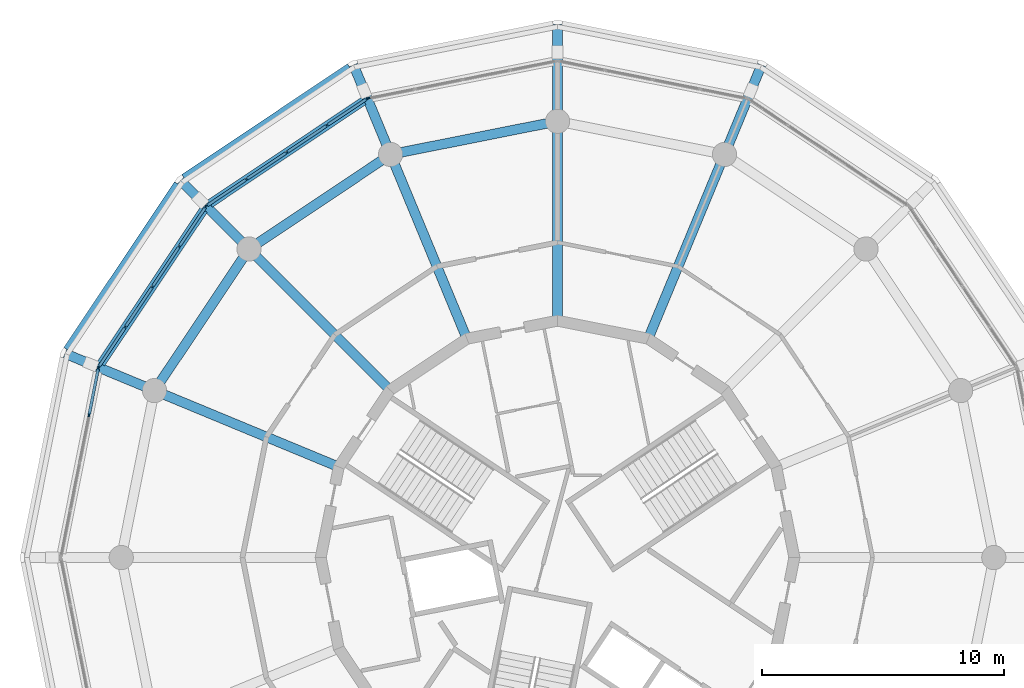
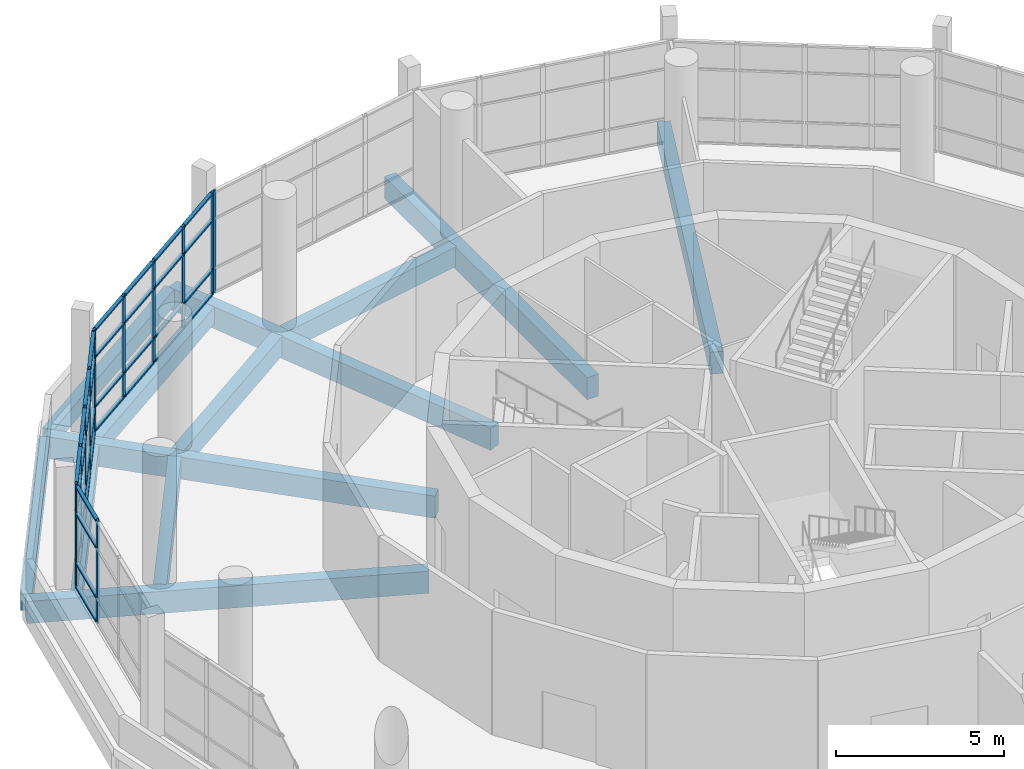
# One storey, part 7 of 40: 49 members, 12 beams, 4 elements without a shape of their own.
"""IFC4 building model written with IfcOpenShell, lengths in metres."""

from ifc_helpers import new_model, si_unit, direction, frame, origin, origin_2d, place, context, subcontext, project, spatial, rectangle, extrude, material, material_profile, profile_set, type_object, element, aggregate, save


model = new_model("IFC4")

# Units and contexts
model_context = context("Model", 3, precision=1e-05, world=origin(), true_north=direction((0.0, 1.0)))
body_context = subcontext(model_context, "Body", "Model", "MODEL_VIEW")
ifc_project = project(units=[si_unit("LENGTHUNIT", "METRE"), si_unit("AREAUNIT", "SQUARE_METRE"), si_unit("VOLUMEUNIT", "CUBIC_METRE"), si_unit("PLANEANGLEUNIT", "RADIAN"), si_unit("MASSUNIT", "GRAM", prefix="KILO")], contexts=[model_context])

# Site, building, storey
site_placement = place(None, origin())
site = spatial("IfcSite", under=ifc_project, at=site_placement, CompositionType="ELEMENT")
building_placement = place(site_placement, origin())
building = spatial("IfcBuilding", under=site, at=building_placement, Name="Ceibo Conservatory and Research Tower", CompositionType="ELEMENT")
storey_placement = place(building_placement, frame((0.0, 0.0, 6.0)))
storey = spatial("IfcBuildingStorey", under=building, at=storey_placement, Name="L01", CompositionType="ELEMENT", Elevation=6.0)

# Curtain wall, member
ifc_material_1 = material(Name="Aluminium and glass", Category="aluminium")
curtain_wall_type = type_object("IfcCurtainWallType", Name="Curtain wall CW1", PredefinedType="NOTDEFINED", material=ifc_material_1)
curtain_wall_1_placement = place(storey_placement, origin())
curtain_wall_1 = element("IfcCurtainWall", 1, at=curtain_wall_1_placement, inside=storey, type_object=curtain_wall_type, Name="CW-01.05", PredefinedType="NOTDEFINED")
ifc_material_2 = material(Name="Aluminium", Category="aluminium")
ifc_material_profile_1 = material_profile(ifc_material_2, rectangle(XDim=0.06005859375, YDim=0.159912109375, at=origin_2d()), Name="Aluminium 60 x 160")
ifc_profile_set_1 = profile_set([ifc_material_profile_1], Name="Aluminium")
member_type_1 = type_object("IfcMemberType", Name="Aluminium mullion 60 x 160", PredefinedType="MULLION", material=ifc_profile_set_1)
member_1_placement = place(storey_placement, frame((40.184326171875, 138.9453125, 0.0), z_axis=(0.0, 0.0, 1.0), x_axis=(0.195090380799, -0.980785268711, 0.0)))
member_1 = element("IfcMember", 2, at=member_1_placement, type_object=member_type_1, Name="CW-01.05 mullion 5", PredefinedType="MULLION", context=body_context, shape_type="SweptSolid", body=[
    extrude(rectangle(XDim=0.06005859375, YDim=0.159912109375, at=origin_2d()), origin(), (0.0, 0.0, 1.0), 3.699951171875),
])
aggregate(curtain_wall_1, [member_1])

# Curtain wall, members
curtain_wall_2_placement = place(storey_placement, origin())
curtain_wall_2 = element("IfcCurtainWall", 3, at=curtain_wall_2_placement, inside=storey, type_object=curtain_wall_type, Name="CW-01.06", PredefinedType="NOTDEFINED")
member_2_placement = place(storey_placement, frame((40.130126953125, 138.9228515625, 0.0), z_axis=(0.0, 0.0, 1.0), x_axis=(0.555570178092, -0.831469649004, 0.0)))
member_2 = element("IfcMember", 4, at=member_2_placement, type_object=member_type_1, Name="CW-01.06 mullion 1", PredefinedType="MULLION", context=body_context, shape_type="SweptSolid", body=[
    extrude(rectangle(XDim=0.06005859375, YDim=0.159912109375, at=origin_2d()), origin(), (0.0, 0.0, 1.0), 3.699951171875),
])
member_3_placement = place(storey_placement, frame((38.492431640625, 137.82861328125, 0.0), z_axis=(0.0, 0.0, 1.0), x_axis=(0.555570178092, -0.831469649004, 0.0)))
member_3 = element("IfcMember", 5, at=member_3_placement, type_object=member_type_1, Name="CW-01.06 mullion 2", PredefinedType="MULLION", context=body_context, shape_type="SweptSolid", body=[
    extrude(rectangle(XDim=0.06005859375, YDim=0.159912109375, at=origin_2d()), origin(), (0.0, 0.0, 1.0), 3.699951171875),
])
member_4_placement = place(storey_placement, frame((36.82958984375, 136.717529296875, 0.0), z_axis=(0.0, 0.0, 1.0), x_axis=(0.555570178092, -0.831469649004, 0.0)))
member_4 = element("IfcMember", 6, at=member_4_placement, type_object=member_type_1, Name="CW-01.06 mullion 3", PredefinedType="MULLION", context=body_context, shape_type="SweptSolid", body=[
    extrude(rectangle(XDim=0.06005859375, YDim=0.159912109375, at=origin_2d()), origin(), (0.0, 0.0, 1.0), 3.699951171875),
])
member_5_placement = place(storey_placement, frame((35.1669921875, 135.606689453125, 0.0), z_axis=(0.0, 0.0, 1.0), x_axis=(0.555570178092, -0.831469649004, 0.0)))
member_5 = element("IfcMember", 7, at=member_5_placement, type_object=member_type_1, Name="CW-01.06 mullion 4", PredefinedType="MULLION", context=body_context, shape_type="SweptSolid", body=[
    extrude(rectangle(XDim=0.06005859375, YDim=0.159912109375, at=origin_2d()), origin(), (0.0, 0.0, 1.0), 3.699951171875),
])
member_6_placement = place(storey_placement, frame((33.529296875, 134.512451171875, 0.0), z_axis=(0.0, 0.0, 1.0), x_axis=(0.555570178092, -0.831469649004, 0.0)))
member_6 = element("IfcMember", 8, at=member_6_placement, type_object=member_type_1, Name="CW-01.06 mullion 5", PredefinedType="MULLION", context=body_context, shape_type="SweptSolid", body=[
    extrude(rectangle(XDim=0.06005859375, YDim=0.159912109375, at=origin_2d()), origin(), (0.0, 0.0, 1.0), 3.699951171875),
])

curtain_wall_3_placement = place(storey_placement, origin())
curtain_wall_3 = element("IfcCurtainWall", 9, at=curtain_wall_3_placement, inside=storey, type_object=curtain_wall_type, Name="CW-01.07", PredefinedType="NOTDEFINED")
member_7_placement = place(storey_placement, frame((33.487548828125, 134.470703125, 0.0), z_axis=(0.0, 0.0, 1.0), x_axis=(0.831469649004, -0.555570178092, 0.0)))
member_7 = element("IfcMember", 10, at=member_7_placement, type_object=member_type_1, Name="CW-01.07 mullion 1", PredefinedType="MULLION", context=body_context, shape_type="SweptSolid", body=[
    extrude(rectangle(XDim=0.06005859375, YDim=0.159912109375, at=origin_2d()), origin(), (0.0, 0.0, 1.0), 3.699951171875),
])
member_8_placement = place(storey_placement, frame((32.393310546875, 132.8330078125, 0.0), z_axis=(0.0, 0.0, 1.0), x_axis=(0.831469649004, -0.555570178092, 0.0)))
member_8 = element("IfcMember", 11, at=member_8_placement, type_object=member_type_1, Name="CW-01.07 mullion 2", PredefinedType="MULLION", context=body_context, shape_type="SweptSolid", body=[
    extrude(rectangle(XDim=0.06005859375, YDim=0.159912109375, at=origin_2d()), origin(), (0.0, 0.0, 1.0), 3.699951171875),
])
member_9_placement = place(storey_placement, frame((31.282470703125, 131.17041015625, 0.0), z_axis=(0.0, 0.0, 1.0), x_axis=(0.831469649004, -0.555570178092, 0.0)))
member_9 = element("IfcMember", 12, at=member_9_placement, type_object=member_type_1, Name="CW-01.07 mullion 3", PredefinedType="MULLION", context=body_context, shape_type="SweptSolid", body=[
    extrude(rectangle(XDim=0.06005859375, YDim=0.159912109375, at=origin_2d()), origin(), (0.0, 0.0, 1.0), 3.699951171875),
])
member_10_placement = place(storey_placement, frame((30.17138671875, 129.507568359375, 0.0), z_axis=(0.0, 0.0, 1.0), x_axis=(0.831469649004, -0.555570178092, 0.0)))
member_10 = element("IfcMember", 13, at=member_10_placement, type_object=member_type_1, Name="CW-01.07 mullion 4", PredefinedType="MULLION", context=body_context, shape_type="SweptSolid", body=[
    extrude(rectangle(XDim=0.06005859375, YDim=0.159912109375, at=origin_2d()), origin(), (0.0, 0.0, 1.0), 3.699951171875),
])
member_11_placement = place(storey_placement, frame((29.0771484375, 127.869873046875, 0.0), z_axis=(0.0, 0.0, 1.0), x_axis=(0.831469649004, -0.555570178092, 0.0)))
member_11 = element("IfcMember", 14, at=member_11_placement, type_object=member_type_1, Name="CW-01.07 mullion 5", PredefinedType="MULLION", context=body_context, shape_type="SweptSolid", body=[
    extrude(rectangle(XDim=0.06005859375, YDim=0.159912109375, at=origin_2d()), origin(), (0.0, 0.0, 1.0), 3.699951171875),
])

curtain_wall_4_placement = place(storey_placement, origin())
curtain_wall_4 = element("IfcCurtainWall", 15, at=curtain_wall_4_placement, inside=storey, type_object=curtain_wall_type, Name="CW-01.08", PredefinedType="NOTDEFINED")
member_12_placement = place(storey_placement, frame((29.0546875, 127.815673828125, 0.0), z_axis=(0.0, 0.0, 1.0), x_axis=(0.980785268711, -0.195090380799, 0.0)))
member_12 = element("IfcMember", 16, at=member_12_placement, type_object=member_type_1, Name="CW-01.08 mullion 1", PredefinedType="MULLION", context=body_context, shape_type="SweptSolid", body=[
    extrude(rectangle(XDim=0.06005859375, YDim=0.159912109375, at=origin_2d()), origin(), (0.0, 0.0, 1.0), 3.699951171875),
])
member_13_placement = place(storey_placement, frame((28.67041015625, 125.8837890625, 0.0), z_axis=(0.0, 0.0, 1.0), x_axis=(0.980785268711, -0.195090380799, 0.0)))
member_13 = element("IfcMember", 17, at=member_13_placement, type_object=member_type_1, Name="CW-01.08 mullion 2", PredefinedType="MULLION", context=body_context, shape_type="SweptSolid", body=[
    extrude(rectangle(XDim=0.06005859375, YDim=0.159912109375, at=origin_2d()), origin(), (0.0, 0.0, 1.0), 3.699951171875),
])

# Member
ifc_material_profile_2 = material_profile(ifc_material_2, rectangle(XDim=0.1201171875, YDim=0.06005859375, at=origin_2d()), Name="Aluminium 60 x 120")
ifc_profile_set_2 = profile_set([ifc_material_profile_2], Name="Aluminium")
member_type_2 = type_object("IfcMemberType", Name="Aluminium transom 60 x 120", PredefinedType="USERDEFINED", material=ifc_profile_set_2)
member_14_placement = place(storey_placement, frame((40.10498046875, 138.90625, 0.030029296875), z_axis=(-0.831420334371, -0.555643975577, 0.0), x_axis=(0.555643975577, -0.831420334371, 0.0)))
member_14 = element("IfcMember", 18, at=member_14_placement, type_object=member_type_2, Name="CW-01.06 transom 1.1", ObjectType="TRANSOM", PredefinedType="USERDEFINED", context=body_context, shape_type="SweptSolid", body=[
    extrude(rectangle(XDim=0.1201171875, YDim=0.06005859375, at=origin_2d()), origin(), (0.0, 0.0, 1.0), 1.90966796875),
])

member_15_placement = place(storey_placement, frame((40.10498046875, 138.90625, 0.89990234375), z_axis=(-0.831420334371, -0.555643975577, 0.0), x_axis=(0.555643975577, -0.831420334371, 0.0)))
member_15 = element("IfcMember", 19, at=member_15_placement, type_object=member_type_2, Name="CW-01.06 transom 1.2", ObjectType="TRANSOM", PredefinedType="USERDEFINED", context=body_context, shape_type="SweptSolid", body=[
    extrude(rectangle(XDim=0.1201171875, YDim=0.06005859375, at=origin_2d()), origin(), (0.0, 0.0, 1.0), 1.90966796875),
])

member_16_placement = place(storey_placement, frame((40.10498046875, 138.90625, 2.699951171875), z_axis=(-0.831420334371, -0.555643975577, 0.0), x_axis=(0.555643975577, -0.831420334371, 0.0)))
member_16 = element("IfcMember", 20, at=member_16_placement, type_object=member_type_2, Name="CW-01.06 transom 1.3", ObjectType="TRANSOM", PredefinedType="USERDEFINED", context=body_context, shape_type="SweptSolid", body=[
    extrude(rectangle(XDim=0.1201171875, YDim=0.06005859375, at=origin_2d()), origin(), (0.0, 0.0, 1.0), 1.90966796875),
])

member_17_placement = place(storey_placement, frame((40.10498046875, 138.90625, 3.669921875), z_axis=(-0.831420334371, -0.555643975577, 0.0), x_axis=(0.555643975577, -0.831420334371, 0.0)))
member_17 = element("IfcMember", 21, at=member_17_placement, type_object=member_type_2, Name="CW-01.06 transom 1.4", ObjectType="TRANSOM", PredefinedType="USERDEFINED", context=body_context, shape_type="SweptSolid", body=[
    extrude(rectangle(XDim=0.1201171875, YDim=0.06005859375, at=origin_2d()), origin(), (0.0, 0.0, 1.0), 1.90966796875),
])

member_18_placement = place(storey_placement, frame((38.46728515625, 137.81201171875, 0.030029296875), z_axis=(-0.831468919367, -0.55557127007, 0.0), x_axis=(0.55557127007, -0.831468919367, 0.0)))
member_18 = element("IfcMember", 22, at=member_18_placement, type_object=member_type_2, Name="CW-01.06 transom 2.1", ObjectType="TRANSOM", PredefinedType="USERDEFINED", context=body_context, shape_type="SweptSolid", body=[
    extrude(rectangle(XDim=0.1201171875, YDim=0.06005859375, at=origin_2d()), origin(), (0.0, 0.0, 1.0), 1.939697265625),
])

member_19_placement = place(storey_placement, frame((38.46728515625, 137.81201171875, 0.89990234375), z_axis=(-0.831468919367, -0.55557127007, 0.0), x_axis=(0.55557127007, -0.831468919367, 0.0)))
member_19 = element("IfcMember", 23, at=member_19_placement, type_object=member_type_2, Name="CW-01.06 transom 2.2", ObjectType="TRANSOM", PredefinedType="USERDEFINED", context=body_context, shape_type="SweptSolid", body=[
    extrude(rectangle(XDim=0.1201171875, YDim=0.06005859375, at=origin_2d()), origin(), (0.0, 0.0, 1.0), 1.939697265625),
])

member_20_placement = place(storey_placement, frame((38.46728515625, 137.81201171875, 2.699951171875), z_axis=(-0.831468919367, -0.55557127007, 0.0), x_axis=(0.55557127007, -0.831468919367, 0.0)))
member_20 = element("IfcMember", 24, at=member_20_placement, type_object=member_type_2, Name="CW-01.06 transom 2.3", ObjectType="TRANSOM", PredefinedType="USERDEFINED", context=body_context, shape_type="SweptSolid", body=[
    extrude(rectangle(XDim=0.1201171875, YDim=0.06005859375, at=origin_2d()), origin(), (0.0, 0.0, 1.0), 1.939697265625),
])

member_21_placement = place(storey_placement, frame((38.46728515625, 137.81201171875, 3.669921875), z_axis=(-0.831468919367, -0.55557127007, 0.0), x_axis=(0.55557127007, -0.831468919367, 0.0)))
member_21 = element("IfcMember", 25, at=member_21_placement, type_object=member_type_2, Name="CW-01.06 transom 2.4", ObjectType="TRANSOM", PredefinedType="USERDEFINED", context=body_context, shape_type="SweptSolid", body=[
    extrude(rectangle(XDim=0.1201171875, YDim=0.06005859375, at=origin_2d()), origin(), (0.0, 0.0, 1.0), 1.939697265625),
])

member_22_placement = place(storey_placement, frame((36.8046875, 136.700927734375, 0.030029296875), z_axis=(-0.831468919367, -0.55557127007, 0.0), x_axis=(0.55557127007, -0.831468919367, 0.0)))
member_22 = element("IfcMember", 26, at=member_22_placement, type_object=member_type_2, Name="CW-01.06 transom 3.1", ObjectType="TRANSOM", PredefinedType="USERDEFINED", context=body_context, shape_type="SweptSolid", body=[
    extrude(rectangle(XDim=0.1201171875, YDim=0.06005859375, at=origin_2d()), origin(), (0.0, 0.0, 1.0), 1.939697265625),
])

member_23_placement = place(storey_placement, frame((36.8046875, 136.700927734375, 0.89990234375), z_axis=(-0.831468919367, -0.55557127007, 0.0), x_axis=(0.55557127007, -0.831468919367, 0.0)))
member_23 = element("IfcMember", 27, at=member_23_placement, type_object=member_type_2, Name="CW-01.06 transom 3.2", ObjectType="TRANSOM", PredefinedType="USERDEFINED", context=body_context, shape_type="SweptSolid", body=[
    extrude(rectangle(XDim=0.1201171875, YDim=0.06005859375, at=origin_2d()), origin(), (0.0, 0.0, 1.0), 1.939697265625),
])

member_24_placement = place(storey_placement, frame((36.8046875, 136.700927734375, 2.699951171875), z_axis=(-0.831468919367, -0.55557127007, 0.0), x_axis=(0.55557127007, -0.831468919367, 0.0)))
member_24 = element("IfcMember", 28, at=member_24_placement, type_object=member_type_2, Name="CW-01.06 transom 3.3", ObjectType="TRANSOM", PredefinedType="USERDEFINED", context=body_context, shape_type="SweptSolid", body=[
    extrude(rectangle(XDim=0.1201171875, YDim=0.06005859375, at=origin_2d()), origin(), (0.0, 0.0, 1.0), 1.939697265625),
])

member_25_placement = place(storey_placement, frame((36.8046875, 136.700927734375, 3.669921875), z_axis=(-0.831468919367, -0.55557127007, 0.0), x_axis=(0.55557127007, -0.831468919367, 0.0)))
member_25 = element("IfcMember", 29, at=member_25_placement, type_object=member_type_2, Name="CW-01.06 transom 3.4", ObjectType="TRANSOM", PredefinedType="USERDEFINED", context=body_context, shape_type="SweptSolid", body=[
    extrude(rectangle(XDim=0.1201171875, YDim=0.06005859375, at=origin_2d()), origin(), (0.0, 0.0, 1.0), 1.939697265625),
])

member_26_placement = place(storey_placement, frame((35.14208984375, 135.590087890625, 0.030029296875), z_axis=(-0.831459801075, -0.555584916278, 0.0), x_axis=(0.555584916278, -0.831459801075, 0.0)))
member_26 = element("IfcMember", 30, at=member_26_placement, type_object=member_type_2, Name="CW-01.06 transom 4.1", ObjectType="TRANSOM", PredefinedType="USERDEFINED", context=body_context, shape_type="SweptSolid", body=[
    extrude(rectangle(XDim=0.1201171875, YDim=0.06005859375, at=origin_2d()), origin(), (0.0, 0.0, 1.0), 1.90966796875),
])

member_27_placement = place(storey_placement, frame((35.14208984375, 135.590087890625, 0.89990234375), z_axis=(-0.831459801075, -0.555584916278, 0.0), x_axis=(0.555584916278, -0.831459801075, 0.0)))
member_27 = element("IfcMember", 31, at=member_27_placement, type_object=member_type_2, Name="CW-01.06 transom 4.2", ObjectType="TRANSOM", PredefinedType="USERDEFINED", context=body_context, shape_type="SweptSolid", body=[
    extrude(rectangle(XDim=0.1201171875, YDim=0.06005859375, at=origin_2d()), origin(), (0.0, 0.0, 1.0), 1.90966796875),
])

member_28_placement = place(storey_placement, frame((35.14208984375, 135.590087890625, 2.699951171875), z_axis=(-0.831459801075, -0.555584916278, 0.0), x_axis=(0.555584916278, -0.831459801075, 0.0)))
member_28 = element("IfcMember", 32, at=member_28_placement, type_object=member_type_2, Name="CW-01.06 transom 4.3", ObjectType="TRANSOM", PredefinedType="USERDEFINED", context=body_context, shape_type="SweptSolid", body=[
    extrude(rectangle(XDim=0.1201171875, YDim=0.06005859375, at=origin_2d()), origin(), (0.0, 0.0, 1.0), 1.90966796875),
])

member_29_placement = place(storey_placement, frame((35.14208984375, 135.590087890625, 3.669921875), z_axis=(-0.831459801075, -0.555584916278, 0.0), x_axis=(0.555584916278, -0.831459801075, 0.0)))
member_29 = element("IfcMember", 33, at=member_29_placement, type_object=member_type_2, Name="CW-01.06 transom 4.4", ObjectType="TRANSOM", PredefinedType="USERDEFINED", context=body_context, shape_type="SweptSolid", body=[
    extrude(rectangle(XDim=0.1201171875, YDim=0.06005859375, at=origin_2d()), origin(), (0.0, 0.0, 1.0), 1.90966796875),
])

aggregate(curtain_wall_2, [member_2, member_3, member_4, member_5, member_6, member_14, member_15, member_16, member_17, member_18, member_19, member_20, member_21, member_22, member_23, member_24, member_25, member_26, member_27, member_28, member_29])

member_30_placement = place(storey_placement, frame((33.470947265625, 134.44580078125, 0.030029296875), z_axis=(-0.555584916278, -0.831459801075, 0.0), x_axis=(0.831459801075, -0.555584916278, 0.0)))
member_30 = element("IfcMember", 34, at=member_30_placement, type_object=member_type_2, Name="CW-01.07 transom 1.1", ObjectType="TRANSOM", PredefinedType="USERDEFINED", context=body_context, shape_type="SweptSolid", body=[
    extrude(rectangle(XDim=0.1201171875, YDim=0.06005859375, at=origin_2d()), origin(), (0.0, 0.0, 1.0), 1.90966796875),
])

member_31_placement = place(storey_placement, frame((33.470947265625, 134.44580078125, 0.89990234375), z_axis=(-0.555584916278, -0.831459801075, 0.0), x_axis=(0.831459801075, -0.555584916278, 0.0)))
member_31 = element("IfcMember", 35, at=member_31_placement, type_object=member_type_2, Name="CW-01.07 transom 1.2", ObjectType="TRANSOM", PredefinedType="USERDEFINED", context=body_context, shape_type="SweptSolid", body=[
    extrude(rectangle(XDim=0.1201171875, YDim=0.06005859375, at=origin_2d()), origin(), (0.0, 0.0, 1.0), 1.90966796875),
])

member_32_placement = place(storey_placement, frame((33.470947265625, 134.44580078125, 2.699951171875), z_axis=(-0.555584916278, -0.831459801075, 0.0), x_axis=(0.831459801075, -0.555584916278, 0.0)))
member_32 = element("IfcMember", 36, at=member_32_placement, type_object=member_type_2, Name="CW-01.07 transom 1.3", ObjectType="TRANSOM", PredefinedType="USERDEFINED", context=body_context, shape_type="SweptSolid", body=[
    extrude(rectangle(XDim=0.1201171875, YDim=0.06005859375, at=origin_2d()), origin(), (0.0, 0.0, 1.0), 1.90966796875),
])

member_33_placement = place(storey_placement, frame((33.470947265625, 134.44580078125, 3.669921875), z_axis=(-0.555584916278, -0.831459801075, 0.0), x_axis=(0.831459801075, -0.555584916278, 0.0)))
member_33 = element("IfcMember", 37, at=member_33_placement, type_object=member_type_2, Name="CW-01.07 transom 1.4", ObjectType="TRANSOM", PredefinedType="USERDEFINED", context=body_context, shape_type="SweptSolid", body=[
    extrude(rectangle(XDim=0.1201171875, YDim=0.06005859375, at=origin_2d()), origin(), (0.0, 0.0, 1.0), 1.90966796875),
])

member_34_placement = place(storey_placement, frame((32.376708984375, 132.80810546875, 0.030029296875), z_axis=(-0.55557127007, -0.831468919367, 0.0), x_axis=(0.831468919367, -0.55557127007, 0.0)))
member_34 = element("IfcMember", 38, at=member_34_placement, type_object=member_type_2, Name="CW-01.07 transom 2.1", ObjectType="TRANSOM", PredefinedType="USERDEFINED", context=body_context, shape_type="SweptSolid", body=[
    extrude(rectangle(XDim=0.1201171875, YDim=0.06005859375, at=origin_2d()), origin(), (0.0, 0.0, 1.0), 1.939697265625),
])

member_35_placement = place(storey_placement, frame((32.376708984375, 132.80810546875, 0.89990234375), z_axis=(-0.55557127007, -0.831468919367, 0.0), x_axis=(0.831468919367, -0.55557127007, 0.0)))
member_35 = element("IfcMember", 39, at=member_35_placement, type_object=member_type_2, Name="CW-01.07 transom 2.2", ObjectType="TRANSOM", PredefinedType="USERDEFINED", context=body_context, shape_type="SweptSolid", body=[
    extrude(rectangle(XDim=0.1201171875, YDim=0.06005859375, at=origin_2d()), origin(), (0.0, 0.0, 1.0), 1.939697265625),
])

member_36_placement = place(storey_placement, frame((32.376708984375, 132.80810546875, 2.699951171875), z_axis=(-0.55557127007, -0.831468919367, 0.0), x_axis=(0.831468919367, -0.55557127007, 0.0)))
member_36 = element("IfcMember", 40, at=member_36_placement, type_object=member_type_2, Name="CW-01.07 transom 2.3", ObjectType="TRANSOM", PredefinedType="USERDEFINED", context=body_context, shape_type="SweptSolid", body=[
    extrude(rectangle(XDim=0.1201171875, YDim=0.06005859375, at=origin_2d()), origin(), (0.0, 0.0, 1.0), 1.939697265625),
])

member_37_placement = place(storey_placement, frame((32.376708984375, 132.80810546875, 3.669921875), z_axis=(-0.55557127007, -0.831468919367, 0.0), x_axis=(0.831468919367, -0.55557127007, 0.0)))
member_37 = element("IfcMember", 41, at=member_37_placement, type_object=member_type_2, Name="CW-01.07 transom 2.4", ObjectType="TRANSOM", PredefinedType="USERDEFINED", context=body_context, shape_type="SweptSolid", body=[
    extrude(rectangle(XDim=0.1201171875, YDim=0.06005859375, at=origin_2d()), origin(), (0.0, 0.0, 1.0), 1.939697265625),
])

member_38_placement = place(storey_placement, frame((31.265625, 131.1455078125, 0.030029296875), z_axis=(-0.55557127007, -0.831468919367, 0.0), x_axis=(0.831468919367, -0.55557127007, 0.0)))
member_38 = element("IfcMember", 42, at=member_38_placement, type_object=member_type_2, Name="CW-01.07 transom 3.1", ObjectType="TRANSOM", PredefinedType="USERDEFINED", context=body_context, shape_type="SweptSolid", body=[
    extrude(rectangle(XDim=0.1201171875, YDim=0.06005859375, at=origin_2d()), origin(), (0.0, 0.0, 1.0), 1.939697265625),
])

member_39_placement = place(storey_placement, frame((31.265625, 131.1455078125, 0.89990234375), z_axis=(-0.55557127007, -0.831468919367, 0.0), x_axis=(0.831468919367, -0.55557127007, 0.0)))
member_39 = element("IfcMember", 43, at=member_39_placement, type_object=member_type_2, Name="CW-01.07 transom 3.2", ObjectType="TRANSOM", PredefinedType="USERDEFINED", context=body_context, shape_type="SweptSolid", body=[
    extrude(rectangle(XDim=0.1201171875, YDim=0.06005859375, at=origin_2d()), origin(), (0.0, 0.0, 1.0), 1.939697265625),
])

member_40_placement = place(storey_placement, frame((31.265625, 131.1455078125, 2.699951171875), z_axis=(-0.55557127007, -0.831468919367, 0.0), x_axis=(0.831468919367, -0.55557127007, 0.0)))
member_40 = element("IfcMember", 44, at=member_40_placement, type_object=member_type_2, Name="CW-01.07 transom 3.3", ObjectType="TRANSOM", PredefinedType="USERDEFINED", context=body_context, shape_type="SweptSolid", body=[
    extrude(rectangle(XDim=0.1201171875, YDim=0.06005859375, at=origin_2d()), origin(), (0.0, 0.0, 1.0), 1.939697265625),
])

member_41_placement = place(storey_placement, frame((31.265625, 131.1455078125, 3.669921875), z_axis=(-0.55557127007, -0.831468919367, 0.0), x_axis=(0.831468919367, -0.55557127007, 0.0)))
member_41 = element("IfcMember", 45, at=member_41_placement, type_object=member_type_2, Name="CW-01.07 transom 3.4", ObjectType="TRANSOM", PredefinedType="USERDEFINED", context=body_context, shape_type="SweptSolid", body=[
    extrude(rectangle(XDim=0.1201171875, YDim=0.06005859375, at=origin_2d()), origin(), (0.0, 0.0, 1.0), 1.939697265625),
])

member_42_placement = place(storey_placement, frame((30.15478515625, 129.482666015625, 0.030029296875), z_axis=(-0.555643975577, -0.831420334371, 0.0), x_axis=(0.831420334371, -0.555643975577, 0.0)))
member_42 = element("IfcMember", 46, at=member_42_placement, type_object=member_type_2, Name="CW-01.07 transom 4.1", ObjectType="TRANSOM", PredefinedType="USERDEFINED", context=body_context, shape_type="SweptSolid", body=[
    extrude(rectangle(XDim=0.1201171875, YDim=0.06005859375, at=origin_2d()), origin(), (0.0, 0.0, 1.0), 1.90966796875),
])

member_43_placement = place(storey_placement, frame((30.15478515625, 129.482666015625, 0.89990234375), z_axis=(-0.555643975577, -0.831420334371, 0.0), x_axis=(0.831420334371, -0.555643975577, 0.0)))
member_43 = element("IfcMember", 47, at=member_43_placement, type_object=member_type_2, Name="CW-01.07 transom 4.2", ObjectType="TRANSOM", PredefinedType="USERDEFINED", context=body_context, shape_type="SweptSolid", body=[
    extrude(rectangle(XDim=0.1201171875, YDim=0.06005859375, at=origin_2d()), origin(), (0.0, 0.0, 1.0), 1.90966796875),
])

member_44_placement = place(storey_placement, frame((30.15478515625, 129.482666015625, 2.699951171875), z_axis=(-0.555643975577, -0.831420334371, 0.0), x_axis=(0.831420334371, -0.555643975577, 0.0)))
member_44 = element("IfcMember", 48, at=member_44_placement, type_object=member_type_2, Name="CW-01.07 transom 4.3", ObjectType="TRANSOM", PredefinedType="USERDEFINED", context=body_context, shape_type="SweptSolid", body=[
    extrude(rectangle(XDim=0.1201171875, YDim=0.06005859375, at=origin_2d()), origin(), (0.0, 0.0, 1.0), 1.90966796875),
])

member_45_placement = place(storey_placement, frame((30.15478515625, 129.482666015625, 3.669921875), z_axis=(-0.555643975577, -0.831420334371, 0.0), x_axis=(0.831420334371, -0.555643975577, 0.0)))
member_45 = element("IfcMember", 49, at=member_45_placement, type_object=member_type_2, Name="CW-01.07 transom 4.4", ObjectType="TRANSOM", PredefinedType="USERDEFINED", context=body_context, shape_type="SweptSolid", body=[
    extrude(rectangle(XDim=0.1201171875, YDim=0.06005859375, at=origin_2d()), origin(), (0.0, 0.0, 1.0), 1.90966796875),
])

aggregate(curtain_wall_3, [member_7, member_8, member_9, member_10, member_11, member_30, member_31, member_32, member_33, member_34, member_35, member_36, member_37, member_38, member_39, member_40, member_41, member_42, member_43, member_44, member_45])

member_46_placement = place(storey_placement, frame((29.048828125, 127.7861328125, 0.030029296875), z_axis=(-0.195083474499, -0.980786642434, 0.0), x_axis=(0.980786642434, -0.195083474499, 0.0)))
member_46 = element("IfcMember", 50, at=member_46_placement, type_object=member_type_2, Name="CW-01.08 transom 1.1", ObjectType="TRANSOM", PredefinedType="USERDEFINED", context=body_context, shape_type="SweptSolid", body=[
    extrude(rectangle(XDim=0.1201171875, YDim=0.06005859375, at=origin_2d()), origin(), (0.0, 0.0, 1.0), 1.90966796875),
])

member_47_placement = place(storey_placement, frame((29.048828125, 127.7861328125, 0.89990234375), z_axis=(-0.195083474499, -0.980786642434, 0.0), x_axis=(0.980786642434, -0.195083474499, 0.0)))
member_47 = element("IfcMember", 51, at=member_47_placement, type_object=member_type_2, Name="CW-01.08 transom 1.2", ObjectType="TRANSOM", PredefinedType="USERDEFINED", context=body_context, shape_type="SweptSolid", body=[
    extrude(rectangle(XDim=0.1201171875, YDim=0.06005859375, at=origin_2d()), origin(), (0.0, 0.0, 1.0), 1.90966796875),
])

member_48_placement = place(storey_placement, frame((29.048828125, 127.7861328125, 2.699951171875), z_axis=(-0.195083474499, -0.980786642434, 0.0), x_axis=(0.980786642434, -0.195083474499, 0.0)))
member_48 = element("IfcMember", 52, at=member_48_placement, type_object=member_type_2, Name="CW-01.08 transom 1.3", ObjectType="TRANSOM", PredefinedType="USERDEFINED", context=body_context, shape_type="SweptSolid", body=[
    extrude(rectangle(XDim=0.1201171875, YDim=0.06005859375, at=origin_2d()), origin(), (0.0, 0.0, 1.0), 1.90966796875),
])

member_49_placement = place(storey_placement, frame((29.048828125, 127.7861328125, 3.669921875), z_axis=(-0.195083474499, -0.980786642434, 0.0), x_axis=(0.980786642434, -0.195083474499, 0.0)))
member_49 = element("IfcMember", 53, at=member_49_placement, type_object=member_type_2, Name="CW-01.08 transom 1.4", ObjectType="TRANSOM", PredefinedType="USERDEFINED", context=body_context, shape_type="SweptSolid", body=[
    extrude(rectangle(XDim=0.1201171875, YDim=0.06005859375, at=origin_2d()), origin(), (0.0, 0.0, 1.0), 1.90966796875),
])

aggregate(curtain_wall_4, [member_12, member_13, member_46, member_47, member_48, member_49])

# Beams
ifc_material_3 = material(Name="Concrete C35/45", Category="concrete")
ifc_material_profile_3 = material_profile(ifc_material_3, rectangle(XDim=0.35009765625, YDim=0.60009765625, at=origin_2d()), Name="RC 350x600")
ifc_profile_set_3 = profile_set([ifc_material_profile_3], Name="Concrete C35/45")
beam_type_1 = type_object("IfcBeamType", Name="RC beam 350x600 C35", PredefinedType="BEAM", material=ifc_profile_set_3)
for number, where, z_axis, x_axis, name in (
    (54, (40.001953125, 138.83740234375, -0.60009765625), (-0.831464091312, -0.555578495676, 0.0), (0.555578495676, -0.831464091312, 0.0), "Edge beam 06 L01"),
    (55, (33.402099609375, 134.3427734375, -0.60009765625), (-0.555578495676, -0.831464091312, 0.0), (0.831464091312, -0.555578495676, 0.0), "Edge beam 07 L01"),
):
    element("IfcBeam", number, at=place(storey_placement, frame(where, z_axis=z_axis, x_axis=x_axis)), inside=storey, type_object=beam_type_1, Name=name, PredefinedType="BEAM", context=body_context, shape_type="SweptSolid", body=[
        extrude(rectangle(XDim=0.35009765625, YDim=0.60009765625, at=origin_2d()), origin(), (0.0, 0.0, 1.0), 7.630859375),
    ])
for number, where, z_axis, x_axis, name in (
    (56, (39.427978515625, 140.22314453125, -0.60009765625), (-0.831460092327, -0.555584480406, 0.0), (0.555584480406, -0.831460092327, 0.0), "Edge beam 06 L01"),
    (57, (32.341552734375, 135.4033203125, -0.60009765625), (-0.555584480406, -0.831460092327, 0.0), (0.831460092327, -0.555584480406, 0.0), "Edge beam 07 L01"),
):
    element("IfcBeam", number, at=place(storey_placement, frame(where, z_axis=z_axis, x_axis=x_axis)), inside=storey, type_object=beam_type_1, Name=name, PredefinedType="BEAM", context=body_context, shape_type="SweptSolid", body=[
        extrude(rectangle(XDim=0.35009765625, YDim=0.60009765625, at=origin_2d()), origin(), (0.0, 0.0, 1.0), 8.216064453125),
    ])
ifc_material_profile_4 = material_profile(ifc_material_3, rectangle(XDim=0.39990234375, YDim=0.699951171875, at=origin_2d()), Name="RC 400x700")
ifc_profile_set_4 = profile_set([ifc_material_profile_4], Name="Concrete C35/45")
beam_type_2 = type_object("IfcBeamType", Name="RC beam 400x700 C35", PredefinedType="BEAM", material=ifc_profile_set_4)
beam_1_placement = place(storey_placement, frame((47.819580078125, 137.964111328125, -0.64990234375), z_axis=(-0.980787526167, -0.19507903146, 0.0), x_axis=(0.19507903146, -0.980787526167, 0.0)))
element("IfcBeam", 58, at=beam_1_placement, inside=storey, type_object=beam_type_2, Name="Ring beam 05 L01", PredefinedType="BEAM", context=body_context, shape_type="SweptSolid", body=[
    extrude(rectangle(XDim=0.39990234375, YDim=0.699951171875, at=origin_2d()), origin(), (0.0, 0.0, 1.0), 6.655517578125),
])
for number, where, z_axis, x_axis, name in (
    (59, (40.958740234375, 136.527587890625, -0.64990234375), (-0.83146854485, -0.555571830572, 0.0), (0.555571830572, -0.83146854485, 0.0), "Ring beam 06 L01"),
    (60, (35.169921875, 132.574951171875, -0.64990234375), (-0.555571830572, -0.83146854485, 0.0), (0.83146854485, -0.555571830572, 0.0), "Ring beam 07 L01"),
):
    element("IfcBeam", number, at=place(storey_placement, frame(where, z_axis=z_axis, x_axis=x_axis)), inside=storey, type_object=beam_type_2, Name=name, PredefinedType="BEAM", context=body_context, shape_type="SweptSolid", body=[
        extrude(rectangle(XDim=0.39990234375, YDim=0.699951171875, at=origin_2d()), origin(), (0.0, 0.0, 1.0), 6.6552734375),
    ])
ifc_material_profile_5 = material_profile(ifc_material_3, rectangle(XDim=0.39990234375, YDim=0.800048828125, at=origin_2d()), Name="RC 400x800")
ifc_profile_set_5 = profile_set([ifc_material_profile_5], Name="Concrete C35/45")
beam_type_3 = type_object("IfcBeamType", Name="RC beam 400x800 C35", PredefinedType="BEAM", material=ifc_profile_set_5)
for number, where, z_axis, x_axis, name in (
    (61, (51.8076171875, 129.192626953125, -0.699951171875), (0.382696089639, 0.923874289595, 0.0), (-0.923874289595, 0.382696089639, 0.0), "Radial beam R4 L01"),
    (62, (48.0, 129.949951171875, -0.699951171875), (0.0, 1.0, 0.0), (-1.0, 0.0, 0.0), "Radial beam R5 L01"),
    (63, (44.1923828125, 129.192626953125, -0.699951171875), (-0.382696089639, 0.923874289595, 0.0), (-0.923874289595, -0.382696089639, 0.0), "Radial beam R6 L01"),
):
    element("IfcBeam", number, at=place(storey_placement, frame(where, z_axis=z_axis, x_axis=x_axis)), inside=storey, type_object=beam_type_3, Name=name, PredefinedType="BEAM", context=body_context, shape_type="SweptSolid", body=[
        extrude(rectangle(XDim=0.39990234375, YDim=0.800048828125, at=origin_2d()), origin(), (0.0, 0.0, 1.0), 12.045166015625),
    ])
beam_2_placement = place(storey_placement, frame((40.96435546875, 127.03564453125, -0.699951171875), z_axis=(-0.707106781187, 0.707106781187, 0.0), x_axis=(-0.707106781187, -0.707106781187, 0.0)))
element("IfcBeam", 64, at=beam_2_placement, inside=storey, type_object=beam_type_3, Name="Radial beam R7 L01", PredefinedType="BEAM", context=body_context, shape_type="SweptSolid", body=[
    extrude(rectangle(XDim=0.39990234375, YDim=0.800048828125, at=origin_2d()), origin(), (0.0, 0.0, 1.0), 12.044921875),
])
beam_3_placement = place(storey_placement, frame((38.807373046875, 123.8076171875, -0.699951171875), z_axis=(-0.923874289595, 0.382696089639, 0.0), x_axis=(-0.382696089639, -0.923874289595, 0.0)))
element("IfcBeam", 65, at=beam_3_placement, inside=storey, type_object=beam_type_3, Name="Radial beam R8 L01", PredefinedType="BEAM", context=body_context, shape_type="SweptSolid", body=[
    extrude(rectangle(XDim=0.39990234375, YDim=0.800048828125, at=origin_2d()), origin(), (0.0, 0.0, 1.0), 12.045166015625),
])

save(model, "model.ifc")
